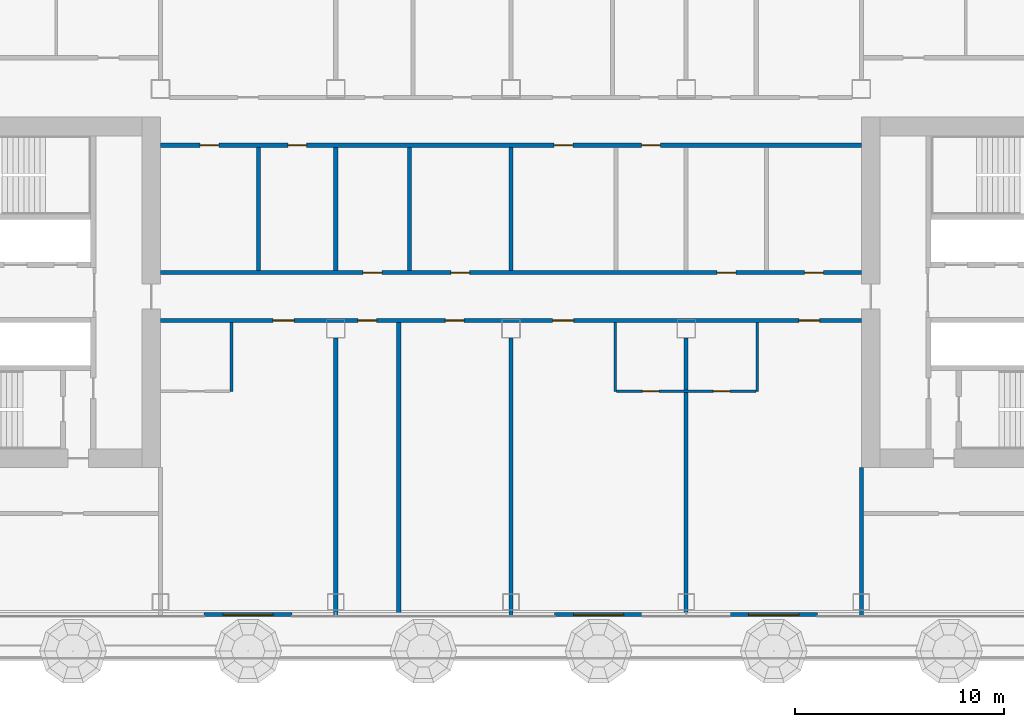
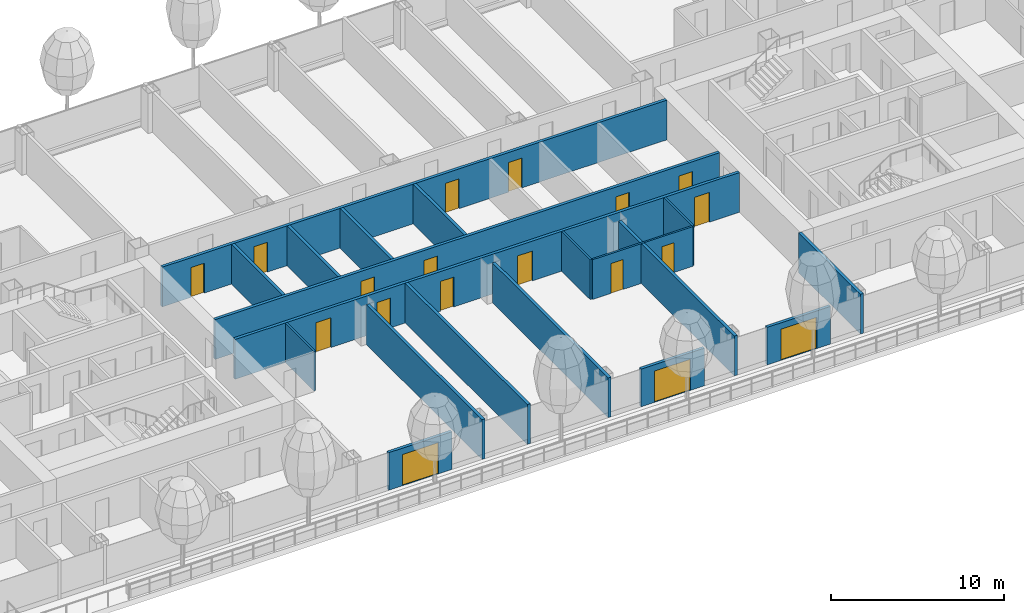
# One storey, part 15 of 34: 19 walls, 18 doors, 18 openings, 1 element without a shape of its own.
"""IFC4 building model written with IfcOpenShell, lengths in metres."""

from ifc_helpers import new_model, si_unit, direction, frame, frame_2d, origin, place, context, subcontext, project, spatial, rectangle, extrude, material, layer, layer_set, type_object, element, fill, aggregate, save


model = new_model("IFC4")

# Units and contexts
model_context = context("Model", 3, precision=1e-05, world=origin(), true_north=direction((0.0, 1.0)))
body_context = subcontext(model_context, "Body", "Model", "MODEL_VIEW")
ifc_project = project(units=[si_unit("LENGTHUNIT", "METRE"), si_unit("AREAUNIT", "SQUARE_METRE"), si_unit("VOLUMEUNIT", "CUBIC_METRE"), si_unit("PLANEANGLEUNIT", "RADIAN"), si_unit("MASSUNIT", "GRAM", prefix="KILO")], contexts=[model_context])

# Site, building, storey
site_placement = place(None, origin())
site = spatial("IfcSite", under=ifc_project, at=site_placement, CompositionType="ELEMENT")
building_placement = place(site_placement, origin())
building = spatial("IfcBuilding", under=site, at=building_placement, Name="Hakoniwa Tower and Hamabe Station Hall", CompositionType="ELEMENT")
storey_placement = place(building_placement, frame((0.0, 0.0, 107.39990234375)))
storey = spatial("IfcBuildingStorey", under=building, at=storey_placement, Name="L30", CompositionType="ELEMENT", Elevation=107.39990234375)

# Wall, openings, doors
ifc_material_1 = material(Name="Gypsum board partition", Category="gypsum")
ifc_layer_1 = layer(ifc_material_1, 0.125)
ifc_layer_set_1 = layer_set([ifc_layer_1], Name="Bathroom Partition 125")
wall_type_1 = type_object("IfcWallType", Name="Bathroom Partition 125", PredefinedType="PARTITIONING", material=ifc_layer_set_1)
wall_1_placement = place(storey_placement, frame((5.0625, -4.75, 0.0), z_axis=(0.0, 0.0, 1.0), x_axis=(1.0, 0.0, 0.0)))
wall_1 = element("IfcWall", 1, at=wall_1_placement, inside=storey, type_object=wall_type_1, Name="GW-L30-008", PredefinedType="PARTITIONING", context=body_context, shape_type="SweptSolid", body=[
    extrude(rectangle(XDim=6.675048828125, YDim=0.125, at=frame_2d((3.33740234375, 0.0))), origin(), (0.0, 0.0, 1.0), 2.800048828125),
])
opening_1_placement = place(wall_1_placement, frame((1.237548828125, 0.0, 0.0)))
opening_1 = element("IfcOpeningElement", 2, at=opening_1_placement, cuts=wall_1, Name="Opening GD-G2A2-18", PredefinedType="OPENING", context=body_context, shape_type="SweptSolid", body=[
    extrude(rectangle(XDim=0.800048828125, YDim=2.10009765625, at=frame_2d((0.39990234375, 1.050048828125))), frame((0.0, 0.072509765625, 0.0), z_axis=(0.0, -1.0, 0.0), x_axis=(1.0, 0.0, 0.0)), (0.0, 0.0, 1.0), 0.14501953125),
])
opening_2_placement = place(wall_1_placement, frame((4.637451171875, 0.0, 0.0)))
opening_2 = element("IfcOpeningElement", 3, at=opening_2_placement, cuts=wall_1, Name="Opening GD-G2A2-19", PredefinedType="OPENING", context=body_context, shape_type="SweptSolid", body=[
    extrude(rectangle(XDim=0.800048828125, YDim=2.10009765625, at=frame_2d((0.39990234375, 1.050048828125))), frame((0.0, 0.072509765625, 0.0), z_axis=(0.0, -1.0, 0.0), x_axis=(1.0, 0.0, 0.0)), (0.0, 0.0, 1.0), 0.14501953125),
])
ifc_material_2 = material(Name="Timber door leaf", Category="wood")
door_type_1 = type_object("IfcDoorType", Name="Bathroom Door 800", OperationType="SINGLE_SWING_LEFT", PredefinedType="DOOR", material=ifc_material_2)
door_1_placement = place(opening_1_placement, origin())
door_1 = element("IfcDoor", 4, at=door_1_placement, inside=storey, type_object=door_type_1, Name="Door GD-G2A2-18", OperationType="SINGLE_SWING_RIGHT", OverallHeight=2.10009765625, OverallWidth=0.800048828125, PredefinedType="DOOR", context=body_context, shape_type="SweptSolid", body=[
    extrude(rectangle(XDim=0.800048828125, YDim=2.10009765625, at=frame_2d((0.39990234375, 1.050048828125))), frame((0.0, 0.02490234375, 0.0), z_axis=(0.0, -1.0, 0.0), x_axis=(1.0, 0.0, 0.0)), (0.0, 0.0, 1.0), 0.050048828125),
])
fill(opening_1, door_1)
door_2_placement = place(opening_2_placement, origin())
door_2 = element("IfcDoor", 5, at=door_2_placement, inside=storey, type_object=door_type_1, Name="Door GD-G2A2-19", OperationType="SINGLE_SWING_LEFT", OverallHeight=2.10009765625, OverallWidth=0.800048828125, PredefinedType="DOOR", context=body_context, shape_type="SweptSolid", body=[
    extrude(rectangle(XDim=0.800048828125, YDim=2.10009765625, at=frame_2d((0.39990234375, 1.050048828125))), frame((0.0, 0.02490234375, 0.0), z_axis=(0.0, -1.0, 0.0), x_axis=(1.0, 0.0, 0.0)), (0.0, 0.0, 1.0), 0.050048828125),
])
fill(opening_2, door_2)

# Walls
for number, where, z_axis, x_axis, name in (
    (6, (-13.39990234375, -4.75, 0.0), (0.0, 0.0, 1.0), (0.0, 1.0, 0.0), "GW-L30-042"),
    (7, (5.0, -4.75, 0.0), (0.0, 0.0, 1.0), (0.0, 1.0, 0.0), "GW-L30-054"),
    (8, (11.800048828125, -4.75, 0.0), (0.0, 0.0, 1.0), (0.0, 1.0, 0.0), "GW-L30-060"),
):
    element("IfcWall", number, at=place(storey_placement, frame(where, z_axis=z_axis, x_axis=x_axis)), inside=storey, type_object=wall_type_1, Name=name, PredefinedType="PARTITIONING", context=body_context, shape_type="SweptSolid", body=[
        extrude(rectangle(XDim=3.300048828125, YDim=0.125, at=frame_2d((1.64990234375, 0.0))), origin(), (0.0, 0.0, 1.0), 2.800048828125),
    ])

# Wall, openings, doors
ifc_material_3 = material(Name="Fire-rated gypsum board partition", Category="gypsum")
ifc_layer_2 = layer(ifc_material_3, 0.199951171875)
ifc_layer_set_2 = layer_set([ifc_layer_2], Name="Corridor Wall 200")
wall_type_2 = type_object("IfcWallType", Name="Corridor Wall 200", PredefinedType="PARTITIONING", material=ifc_layer_set_2)
wall_2_placement = place(storey_placement, frame((-16.800048828125, -1.35009765625, 0.0), z_axis=(0.0, 0.0, 1.0), x_axis=(1.0, 0.0, 0.0)))
wall_2 = element("IfcWall", 9, at=wall_2_placement, inside=storey, type_object=wall_type_2, Name="GW-L30-009", PredefinedType="PARTITIONING", context=body_context, shape_type="SweptSolid", body=[
    extrude(rectangle(XDim=33.60009765625, YDim=0.199951171875, at=frame_2d((16.800048828125, 0.0))), origin(), (0.0, 0.0, 1.0), 2.800048828125),
])
opening_3_placement = place(wall_2_placement, frame((5.39990234375, 0.0, 0.0)))
opening_3 = element("IfcOpeningElement", 10, at=opening_3_placement, cuts=wall_2, Name="Opening GD-G2A2-20", PredefinedType="OPENING", context=body_context, shape_type="SweptSolid", body=[
    extrude(rectangle(XDim=1.0, YDim=2.10009765625, at=frame_2d((0.5, 1.050048828125))), frame((0.0, 0.10986328125, 0.0), z_axis=(0.0, -1.0, 0.0), x_axis=(1.0, 0.0, 0.0)), (0.0, 0.0, 1.0), 0.219970703125),
])
opening_4_placement = place(wall_2_placement, frame((9.4599609375, 0.0, 0.0)))
opening_4 = element("IfcOpeningElement", 11, at=opening_4_placement, cuts=wall_2, Name="Opening GD-G2A2-21", PredefinedType="OPENING", context=body_context, shape_type="SweptSolid", body=[
    extrude(rectangle(XDim=0.89990234375, YDim=2.10009765625, at=frame_2d((0.449951171875, 1.050048828125))), frame((0.0, 0.10986328125, 0.0), z_axis=(0.0, -1.0, 0.0), x_axis=(1.0, 0.0, 0.0)), (0.0, 0.0, 1.0), 0.219970703125),
])
opening_5_placement = place(wall_2_placement, frame((13.659912109375, 0.0, 0.0)))
opening_5 = element("IfcOpeningElement", 12, at=opening_5_placement, cuts=wall_2, Name="Opening GD-G2A2-22", PredefinedType="OPENING", context=body_context, shape_type="SweptSolid", body=[
    extrude(rectangle(XDim=0.89990234375, YDim=2.10009765625, at=frame_2d((0.449951171875, 1.050048828125))), frame((0.0, 0.10986328125, 0.0), z_axis=(0.0, -1.0, 0.0), x_axis=(1.0, 0.0, 0.0)), (0.0, 0.0, 1.0), 0.219970703125),
])
opening_6_placement = place(wall_2_placement, frame((18.800048828125, 0.0, 0.0)))
opening_6 = element("IfcOpeningElement", 13, at=opening_6_placement, cuts=wall_2, Name="Opening GD-G2A2-23", PredefinedType="OPENING", context=body_context, shape_type="SweptSolid", body=[
    extrude(rectangle(XDim=1.0, YDim=2.10009765625, at=frame_2d((0.5, 1.050048828125))), frame((0.0, 0.10986328125, 0.0), z_axis=(0.0, -1.0, 0.0), x_axis=(1.0, 0.0, 0.0)), (0.0, 0.0, 1.0), 0.219970703125),
])
opening_7_placement = place(wall_2_placement, frame((30.60009765625, 0.0, 0.0)))
opening_7 = element("IfcOpeningElement", 14, at=opening_7_placement, cuts=wall_2, Name="Opening GD-G2A2-24", PredefinedType="OPENING", context=body_context, shape_type="SweptSolid", body=[
    extrude(rectangle(XDim=1.0, YDim=2.10009765625, at=frame_2d((0.5, 1.050048828125))), frame((0.0, 0.10986328125, 0.0), z_axis=(0.0, -1.0, 0.0), x_axis=(1.0, 0.0, 0.0)), (0.0, 0.0, 1.0), 0.219970703125),
])
ifc_material_4 = material(Name="Timber door leaf", Category="wood")
door_type_2 = type_object("IfcDoorType", Name="Guest Entrance Door 1000", OperationType="SINGLE_SWING_LEFT", PredefinedType="DOOR", material=ifc_material_4)
door_3_placement = place(opening_3_placement, origin())
door_3 = element("IfcDoor", 15, at=door_3_placement, inside=storey, type_object=door_type_2, Name="Door GD-G2A2-20", OperationType="SINGLE_SWING_RIGHT", OverallHeight=2.10009765625, OverallWidth=1.0, PredefinedType="DOOR", context=body_context, shape_type="SweptSolid", body=[
    extrude(rectangle(XDim=1.0, YDim=2.10009765625, at=frame_2d((0.5, 1.050048828125))), frame((0.0, 0.02490234375, 0.0), z_axis=(0.0, -1.0, 0.0), x_axis=(1.0, 0.0, 0.0)), (0.0, 0.0, 1.0), 0.050048828125),
])
fill(opening_3, door_3)
door_4_placement = place(opening_6_placement, origin())
door_4 = element("IfcDoor", 16, at=door_4_placement, inside=storey, type_object=door_type_2, Name="Door GD-G2A2-23", OperationType="SINGLE_SWING_LEFT", OverallHeight=2.10009765625, OverallWidth=1.0, PredefinedType="DOOR", context=body_context, shape_type="SweptSolid", body=[
    extrude(rectangle(XDim=1.0, YDim=2.10009765625, at=frame_2d((0.5, 1.050048828125))), frame((0.0, 0.02490234375, 0.0), z_axis=(0.0, -1.0, 0.0), x_axis=(1.0, 0.0, 0.0)), (0.0, 0.0, 1.0), 0.050048828125),
])
fill(opening_6, door_4)
door_5_placement = place(opening_7_placement, origin())
door_5 = element("IfcDoor", 17, at=door_5_placement, inside=storey, type_object=door_type_2, Name="Door GD-G2A2-24", OperationType="SINGLE_SWING_RIGHT", OverallHeight=2.10009765625, OverallWidth=1.0, PredefinedType="DOOR", context=body_context, shape_type="SweptSolid", body=[
    extrude(rectangle(XDim=1.0, YDim=2.10009765625, at=frame_2d((0.5, 1.050048828125))), frame((0.0, 0.02490234375, 0.0), z_axis=(0.0, -1.0, 0.0), x_axis=(1.0, 0.0, 0.0)), (0.0, 0.0, 1.0), 0.050048828125),
])
fill(opening_7, door_5)
ifc_material_5 = material(Name="Timber door leaf", Category="wood")
door_type_3 = type_object("IfcDoorType", Name="Service Door 900", OperationType="SINGLE_SWING_LEFT", PredefinedType="DOOR", material=ifc_material_5)
door_6_placement = place(opening_4_placement, origin())
door_6 = element("IfcDoor", 18, at=door_6_placement, inside=storey, type_object=door_type_3, Name="Door GD-G2A2-21", OperationType="SINGLE_SWING_RIGHT", OverallHeight=2.10009765625, OverallWidth=0.89990234375, PredefinedType="DOOR", context=body_context, shape_type="SweptSolid", body=[
    extrude(rectangle(XDim=0.89990234375, YDim=2.10009765625, at=frame_2d((0.449951171875, 1.050048828125))), frame((0.0, 0.02490234375, 0.0), z_axis=(0.0, -1.0, 0.0), x_axis=(1.0, 0.0, 0.0)), (0.0, 0.0, 1.0), 0.050048828125),
])
fill(opening_4, door_6)
door_7_placement = place(opening_5_placement, origin())
door_7 = element("IfcDoor", 19, at=door_7_placement, inside=storey, type_object=door_type_3, Name="Door GD-G2A2-22", OperationType="SINGLE_SWING_RIGHT", OverallHeight=2.10009765625, OverallWidth=0.89990234375, PredefinedType="DOOR", context=body_context, shape_type="SweptSolid", body=[
    extrude(rectangle(XDim=0.89990234375, YDim=2.10009765625, at=frame_2d((0.449951171875, 1.050048828125))), frame((0.0, 0.02490234375, 0.0), z_axis=(0.0, -1.0, 0.0), x_axis=(1.0, 0.0, 0.0)), (0.0, 0.0, 1.0), 0.050048828125),
])
fill(opening_5, door_7)

wall_3_placement = place(storey_placement, frame((-16.800048828125, 0.949951171875, 0.0), z_axis=(0.0, 0.0, 1.0), x_axis=(1.0, 0.0, 0.0)))
wall_3 = element("IfcWall", 20, at=wall_3_placement, inside=storey, type_object=wall_type_2, Name="GW-L30-012", PredefinedType="PARTITIONING", context=body_context, shape_type="SweptSolid", body=[
    extrude(rectangle(XDim=33.60009765625, YDim=0.199951171875, at=frame_2d((16.800048828125, 0.0))), origin(), (0.0, 0.0, 1.0), 2.800048828125),
])
opening_8_placement = place(wall_3_placement, frame((9.715087890625, 0.0, 0.0)))
opening_8 = element("IfcOpeningElement", 21, at=opening_8_placement, cuts=wall_3, Name="Opening GD-G2A2-25", PredefinedType="OPENING", context=body_context, shape_type="SweptSolid", body=[
    extrude(rectangle(XDim=0.89990234375, YDim=2.10009765625, at=frame_2d((0.449951171875, 1.050048828125))), frame((0.0, 0.10986328125, 0.0), z_axis=(0.0, -1.0, 0.0), x_axis=(1.0, 0.0, 0.0)), (0.0, 0.0, 1.0), 0.219970703125),
])
opening_9_placement = place(wall_3_placement, frame((13.9150390625, 0.0, 0.0)))
opening_9 = element("IfcOpeningElement", 22, at=opening_9_placement, cuts=wall_3, Name="Opening GD-G2A2-26", PredefinedType="OPENING", context=body_context, shape_type="SweptSolid", body=[
    extrude(rectangle(XDim=0.89990234375, YDim=2.10009765625, at=frame_2d((0.449951171875, 1.050048828125))), frame((0.0, 0.10986328125, 0.0), z_axis=(0.0, -1.0, 0.0), x_axis=(1.0, 0.0, 0.0)), (0.0, 0.0, 1.0), 0.219970703125),
])
opening_10_placement = place(wall_3_placement, frame((26.679931640625, 0.0, 0.0)))
opening_10 = element("IfcOpeningElement", 23, at=opening_10_placement, cuts=wall_3, Name="Opening GD-G2A2-27", PredefinedType="OPENING", context=body_context, shape_type="SweptSolid", body=[
    extrude(rectangle(XDim=0.89990234375, YDim=2.10009765625, at=frame_2d((0.449951171875, 1.050048828125))), frame((0.0, 0.10986328125, 0.0), z_axis=(0.0, -1.0, 0.0), x_axis=(1.0, 0.0, 0.0)), (0.0, 0.0, 1.0), 0.219970703125),
])
opening_11_placement = place(wall_3_placement, frame((30.8798828125, 0.0, 0.0)))
opening_11 = element("IfcOpeningElement", 24, at=opening_11_placement, cuts=wall_3, Name="Opening GD-G2A2-28", PredefinedType="OPENING", context=body_context, shape_type="SweptSolid", body=[
    extrude(rectangle(XDim=0.89990234375, YDim=2.10009765625, at=frame_2d((0.449951171875, 1.050048828125))), frame((0.0, 0.10986328125, 0.0), z_axis=(0.0, -1.0, 0.0), x_axis=(1.0, 0.0, 0.0)), (0.0, 0.0, 1.0), 0.219970703125),
])
door_8_placement = place(opening_8_placement, origin())
door_8 = element("IfcDoor", 25, at=door_8_placement, inside=storey, type_object=door_type_3, Name="Door GD-G2A2-25", OperationType="SINGLE_SWING_RIGHT", OverallHeight=2.10009765625, OverallWidth=0.89990234375, PredefinedType="DOOR", context=body_context, shape_type="SweptSolid", body=[
    extrude(rectangle(XDim=0.89990234375, YDim=2.10009765625, at=frame_2d((0.449951171875, 1.050048828125))), frame((0.0, 0.02490234375, 0.0), z_axis=(0.0, -1.0, 0.0), x_axis=(1.0, 0.0, 0.0)), (0.0, 0.0, 1.0), 0.050048828125),
])
fill(opening_8, door_8)
door_9_placement = place(opening_9_placement, origin())
door_9 = element("IfcDoor", 26, at=door_9_placement, inside=storey, type_object=door_type_3, Name="Door GD-G2A2-26", OperationType="SINGLE_SWING_LEFT", OverallHeight=2.10009765625, OverallWidth=0.89990234375, PredefinedType="DOOR", context=body_context, shape_type="SweptSolid", body=[
    extrude(rectangle(XDim=0.89990234375, YDim=2.10009765625, at=frame_2d((0.449951171875, 1.050048828125))), frame((0.0, 0.02490234375, 0.0), z_axis=(0.0, -1.0, 0.0), x_axis=(1.0, 0.0, 0.0)), (0.0, 0.0, 1.0), 0.050048828125),
])
fill(opening_9, door_9)
door_10_placement = place(opening_10_placement, origin())
door_10 = element("IfcDoor", 27, at=door_10_placement, inside=storey, type_object=door_type_3, Name="Door GD-G2A2-27", OperationType="SINGLE_SWING_RIGHT", OverallHeight=2.10009765625, OverallWidth=0.89990234375, PredefinedType="DOOR", context=body_context, shape_type="SweptSolid", body=[
    extrude(rectangle(XDim=0.89990234375, YDim=2.10009765625, at=frame_2d((0.449951171875, 1.050048828125))), frame((0.0, 0.02490234375, 0.0), z_axis=(0.0, -1.0, 0.0), x_axis=(1.0, 0.0, 0.0)), (0.0, 0.0, 1.0), 0.050048828125),
])
fill(opening_10, door_10)
door_11_placement = place(opening_11_placement, origin())
door_11 = element("IfcDoor", 28, at=door_11_placement, inside=storey, type_object=door_type_3, Name="Door GD-G2A2-28", OperationType="SINGLE_SWING_LEFT", OverallHeight=2.10009765625, OverallWidth=0.89990234375, PredefinedType="DOOR", context=body_context, shape_type="SweptSolid", body=[
    extrude(rectangle(XDim=0.89990234375, YDim=2.10009765625, at=frame_2d((0.449951171875, 1.050048828125))), frame((0.0, 0.02490234375, 0.0), z_axis=(0.0, -1.0, 0.0), x_axis=(1.0, 0.0, 0.0)), (0.0, 0.0, 1.0), 0.050048828125),
])
fill(opening_11, door_11)

wall_4_placement = place(storey_placement, frame((-16.800048828125, 7.050048828125, 0.0), z_axis=(0.0, 0.0, 1.0), x_axis=(1.0, 0.0, 0.0)))
wall_4 = element("IfcWall", 29, at=wall_4_placement, inside=storey, type_object=wall_type_2, Name="GW-L30-015", PredefinedType="PARTITIONING", context=body_context, shape_type="SweptSolid", body=[
    extrude(rectangle(XDim=33.60009765625, YDim=0.199951171875, at=frame_2d((16.800048828125, 0.0))), origin(), (0.0, 0.0, 1.0), 2.800048828125),
])
opening_12_placement = place(wall_4_placement, frame((1.89990234375, 0.0, 0.0)))
opening_12 = element("IfcOpeningElement", 30, at=opening_12_placement, cuts=wall_4, Name="Opening GD-G2A2-31", PredefinedType="OPENING", context=body_context, shape_type="SweptSolid", body=[
    extrude(rectangle(XDim=0.89990234375, YDim=2.10009765625, at=frame_2d((0.449951171875, 1.050048828125))), frame((0.0, 0.10986328125, 0.0), z_axis=(0.0, -1.0, 0.0), x_axis=(1.0, 0.0, 0.0)), (0.0, 0.0, 1.0), 0.219970703125),
])
opening_13_placement = place(wall_4_placement, frame((6.10009765625, 0.0, 0.0)))
opening_13 = element("IfcOpeningElement", 31, at=opening_13_placement, cuts=wall_4, Name="Opening GD-G2A2-32", PredefinedType="OPENING", context=body_context, shape_type="SweptSolid", body=[
    extrude(rectangle(XDim=0.89990234375, YDim=2.10009765625, at=frame_2d((0.449951171875, 1.050048828125))), frame((0.0, 0.10986328125, 0.0), z_axis=(0.0, -1.0, 0.0), x_axis=(1.0, 0.0, 0.0)), (0.0, 0.0, 1.0), 0.219970703125),
])
opening_14_placement = place(wall_4_placement, frame((18.8701171875, 0.0, 0.0)))
opening_14 = element("IfcOpeningElement", 32, at=opening_14_placement, cuts=wall_4, Name="Opening GD-G2A2-33", PredefinedType="OPENING", context=body_context, shape_type="SweptSolid", body=[
    extrude(rectangle(XDim=0.89990234375, YDim=2.10009765625, at=frame_2d((0.449951171875, 1.050048828125))), frame((0.0, 0.10986328125, 0.0), z_axis=(0.0, -1.0, 0.0), x_axis=(1.0, 0.0, 0.0)), (0.0, 0.0, 1.0), 0.219970703125),
])
opening_15_placement = place(wall_4_placement, frame((23.070068359375, 0.0, 0.0)))
opening_15 = element("IfcOpeningElement", 33, at=opening_15_placement, cuts=wall_4, Name="Opening GD-G2A2-34", PredefinedType="OPENING", context=body_context, shape_type="SweptSolid", body=[
    extrude(rectangle(XDim=0.89990234375, YDim=2.10009765625, at=frame_2d((0.449951171875, 1.050048828125))), frame((0.0, 0.10986328125, 0.0), z_axis=(0.0, -1.0, 0.0), x_axis=(1.0, 0.0, 0.0)), (0.0, 0.0, 1.0), 0.219970703125),
])
door_12_placement = place(opening_12_placement, origin())
door_12 = element("IfcDoor", 34, at=door_12_placement, inside=storey, type_object=door_type_3, Name="Door GD-G2A2-31", OperationType="SINGLE_SWING_RIGHT", OverallHeight=2.10009765625, OverallWidth=0.89990234375, PredefinedType="DOOR", context=body_context, shape_type="SweptSolid", body=[
    extrude(rectangle(XDim=0.89990234375, YDim=2.10009765625, at=frame_2d((0.449951171875, 1.050048828125))), frame((0.0, 0.02490234375, 0.0), z_axis=(0.0, -1.0, 0.0), x_axis=(1.0, 0.0, 0.0)), (0.0, 0.0, 1.0), 0.050048828125),
])
fill(opening_12, door_12)
door_13_placement = place(opening_13_placement, origin())
door_13 = element("IfcDoor", 35, at=door_13_placement, inside=storey, type_object=door_type_3, Name="Door GD-G2A2-32", OperationType="SINGLE_SWING_LEFT", OverallHeight=2.10009765625, OverallWidth=0.89990234375, PredefinedType="DOOR", context=body_context, shape_type="SweptSolid", body=[
    extrude(rectangle(XDim=0.89990234375, YDim=2.10009765625, at=frame_2d((0.449951171875, 1.050048828125))), frame((0.0, 0.02490234375, 0.0), z_axis=(0.0, -1.0, 0.0), x_axis=(1.0, 0.0, 0.0)), (0.0, 0.0, 1.0), 0.050048828125),
])
fill(opening_13, door_13)
door_14_placement = place(opening_14_placement, origin())
door_14 = element("IfcDoor", 36, at=door_14_placement, inside=storey, type_object=door_type_3, Name="Door GD-G2A2-33", OperationType="SINGLE_SWING_RIGHT", OverallHeight=2.10009765625, OverallWidth=0.89990234375, PredefinedType="DOOR", context=body_context, shape_type="SweptSolid", body=[
    extrude(rectangle(XDim=0.89990234375, YDim=2.10009765625, at=frame_2d((0.449951171875, 1.050048828125))), frame((0.0, 0.02490234375, 0.0), z_axis=(0.0, -1.0, 0.0), x_axis=(1.0, 0.0, 0.0)), (0.0, 0.0, 1.0), 0.050048828125),
])
fill(opening_14, door_14)
door_15_placement = place(opening_15_placement, origin())
door_15 = element("IfcDoor", 37, at=door_15_placement, inside=storey, type_object=door_type_3, Name="Door GD-G2A2-34", OperationType="SINGLE_SWING_LEFT", OverallHeight=2.10009765625, OverallWidth=0.89990234375, PredefinedType="DOOR", context=body_context, shape_type="SweptSolid", body=[
    extrude(rectangle(XDim=0.89990234375, YDim=2.10009765625, at=frame_2d((0.449951171875, 1.050048828125))), frame((0.0, 0.02490234375, 0.0), z_axis=(0.0, -1.0, 0.0), x_axis=(1.0, 0.0, 0.0)), (0.0, 0.0, 1.0), 0.050048828125),
])
fill(opening_15, door_15)

# Curtain wall, walls, openings, doors
ifc_material_6 = material(Name="Dark low-e laminated glass", Category="glass")
ifc_layer_3 = layer(ifc_material_6, 0.199951171875)
ifc_layer_set_3 = layer_set([ifc_layer_3], Name="CW-1 UNITISED GUEST")
curtain_wall_type = type_object("IfcCurtainWallType", Name="CW-1 UNITISED GUEST", PredefinedType="NOTDEFINED", material=ifc_layer_set_3)
curtain_wall_placement = place(storey_placement, origin())
curtain_wall = element("IfcCurtainWall", 38, at=curtain_wall_placement, inside=storey, type_object=curtain_wall_type, Name="CW-1 curtain wall", PredefinedType="NOTDEFINED")
ifc_material_7 = material(Name="Dark glass-faced aluminium panel", Category="aluminium")
ifc_layer_4 = layer(ifc_material_7, 0.199951171875)
ifc_layer_set_4 = layer_set([ifc_layer_4], Name="DOOR BAY WALL")
wall_type_3 = type_object("IfcWallType", Name="DOOR BAY WALL", PredefinedType="NOTDEFINED", material=ifc_layer_set_4)
wall_5_placement = place(storey_placement, frame((-14.7099609375, -15.449951171875, 0.0), z_axis=(0.0, 0.0, 1.0), x_axis=(1.0, 0.0, 0.0)))
wall_5 = element("IfcWall", 39, at=wall_5_placement, type_object=wall_type_3, Name="Door bay wall", PredefinedType="NOTDEFINED", context=body_context, shape_type="SweptSolid", body=[
    extrude(rectangle(XDim=4.219970703125, YDim=0.199951171875, at=frame_2d((2.10986328125, 0.0))), origin(), (0.0, 0.0, 1.0), 2.650146484375),
])
opening_16_placement = place(wall_5_placement, frame((0.909912109375, 0.0, 0.0)))
opening_16 = element("IfcOpeningElement", 40, at=opening_16_placement, cuts=wall_5, Name="Opening BD-S07-1", PredefinedType="OPENING", context=body_context, shape_type="SweptSolid", body=[
    extrude(rectangle(XDim=2.39990234375, YDim=2.199951171875, at=frame_2d((1.199951171875, 1.10009765625))), frame((0.0, 0.10986328125, 0.0), z_axis=(0.0, -1.0, 0.0), x_axis=(1.0, 0.0, 0.0)), (0.0, 0.0, 1.0), 0.219970703125),
])
ifc_material_8 = material(Name="Dark low-e laminated glass", Category="glass")
door_type_4 = type_object("IfcDoorType", Name="BALCONY SLIDING DOOR 2400X2200", OperationType="SLIDING_TO_LEFT", PredefinedType="DOOR", material=ifc_material_8)
door_16_placement = place(opening_16_placement, frame((2.39990234375, 0.0, 0.0), z_axis=(0.0, 0.0, 1.0), x_axis=(-1.0, 0.0, 0.0)))
door_16 = element("IfcDoor", 41, at=door_16_placement, inside=storey, type_object=door_type_4, Name="Balcony sliding door", OperationType="SLIDING_TO_LEFT", OverallHeight=2.199951171875, OverallWidth=2.39990234375, PredefinedType="DOOR", context=body_context, shape_type="SweptSolid", body=[
    extrude(rectangle(XDim=2.39990234375, YDim=2.199951171875, at=frame_2d((1.199951171875, 1.10009765625))), frame((0.0, 0.02490234375, 0.0), z_axis=(0.0, -1.0, 0.0), x_axis=(1.0, 0.0, 0.0)), (0.0, 0.0, 1.0), 0.050048828125),
])
fill(opening_16, door_16)
wall_6_placement = place(storey_placement, frame((2.090087890625, -15.449951171875, 0.0), z_axis=(0.0, 0.0, 1.0), x_axis=(1.0, 0.0, 0.0)))
wall_6 = element("IfcWall", 42, at=wall_6_placement, type_object=wall_type_3, Name="Door bay wall", PredefinedType="NOTDEFINED", context=body_context, shape_type="SweptSolid", body=[
    extrude(rectangle(XDim=4.219970703125, YDim=0.199951171875, at=frame_2d((2.10986328125, 0.0))), origin(), (0.0, 0.0, 1.0), 2.650146484375),
])
opening_17_placement = place(wall_6_placement, frame((0.909912109375, 0.0, 0.0)))
opening_17 = element("IfcOpeningElement", 43, at=opening_17_placement, cuts=wall_6, Name="Opening BD-S07-2", PredefinedType="OPENING", context=body_context, shape_type="SweptSolid", body=[
    extrude(rectangle(XDim=2.39990234375, YDim=2.199951171875, at=frame_2d((1.199951171875, 1.10009765625))), frame((0.0, 0.10986328125, 0.0), z_axis=(0.0, -1.0, 0.0), x_axis=(1.0, 0.0, 0.0)), (0.0, 0.0, 1.0), 0.219970703125),
])
door_17_placement = place(opening_17_placement, frame((2.39990234375, 0.0, 0.0), z_axis=(0.0, 0.0, 1.0), x_axis=(-1.0, 0.0, 0.0)))
door_17 = element("IfcDoor", 44, at=door_17_placement, inside=storey, type_object=door_type_4, Name="Balcony sliding door", OperationType="SLIDING_TO_LEFT", OverallHeight=2.199951171875, OverallWidth=2.39990234375, PredefinedType="DOOR", context=body_context, shape_type="SweptSolid", body=[
    extrude(rectangle(XDim=2.39990234375, YDim=2.199951171875, at=frame_2d((1.199951171875, 1.10009765625))), frame((0.0, 0.02490234375, 0.0), z_axis=(0.0, -1.0, 0.0), x_axis=(1.0, 0.0, 0.0)), (0.0, 0.0, 1.0), 0.050048828125),
])
fill(opening_17, door_17)
wall_7_placement = place(storey_placement, frame((10.489990234375, -15.449951171875, 0.0), z_axis=(0.0, 0.0, 1.0), x_axis=(1.0, 0.0, 0.0)))
wall_7 = element("IfcWall", 45, at=wall_7_placement, type_object=wall_type_3, Name="Door bay wall", PredefinedType="NOTDEFINED", context=body_context, shape_type="SweptSolid", body=[
    extrude(rectangle(XDim=4.219970703125, YDim=0.199951171875, at=frame_2d((2.10986328125, 0.0))), origin(), (0.0, 0.0, 1.0), 2.650146484375),
])
opening_18_placement = place(wall_7_placement, frame((0.909912109375, 0.0, 0.0)))
opening_18 = element("IfcOpeningElement", 46, at=opening_18_placement, cuts=wall_7, Name="Opening BD-S07-3", PredefinedType="OPENING", context=body_context, shape_type="SweptSolid", body=[
    extrude(rectangle(XDim=2.39990234375, YDim=2.199951171875, at=frame_2d((1.199951171875, 1.10009765625))), frame((0.0, 0.10986328125, 0.0), z_axis=(0.0, -1.0, 0.0), x_axis=(1.0, 0.0, 0.0)), (0.0, 0.0, 1.0), 0.219970703125),
])
door_18_placement = place(opening_18_placement, frame((2.39990234375, 0.0, 0.0), z_axis=(0.0, 0.0, 1.0), x_axis=(-1.0, 0.0, 0.0)))
door_18 = element("IfcDoor", 47, at=door_18_placement, inside=storey, type_object=door_type_4, Name="Balcony sliding door", OperationType="SLIDING_TO_LEFT", OverallHeight=2.199951171875, OverallWidth=2.39990234375, PredefinedType="DOOR", context=body_context, shape_type="SweptSolid", body=[
    extrude(rectangle(XDim=2.39990234375, YDim=2.199951171875, at=frame_2d((1.199951171875, 1.10009765625))), frame((0.0, 0.02490234375, 0.0), z_axis=(0.0, -1.0, 0.0), x_axis=(1.0, 0.0, 0.0)), (0.0, 0.0, 1.0), 0.050048828125),
])
fill(opening_18, door_18)
aggregate(curtain_wall, [wall_5, wall_6, wall_7])

# Walls
ifc_material_9 = material(Name="Fire-rated gypsum board partition", Category="gypsum")
ifc_layer_5 = layer(ifc_material_9, 0.199951171875)
ifc_layer_set_5 = layer_set([ifc_layer_5], Name="Party Wall 200")
wall_type_4 = type_object("IfcWallType", Name="Party Wall 200", PredefinedType="PARTITIONING", material=ifc_layer_set_5)
wall_8_placement = place(storey_placement, frame((-12.10009765625, 1.050048828125, 0.0), z_axis=(0.0, 0.0, 1.0), x_axis=(0.0, 1.0, 0.0)))
element("IfcWall", 48, at=wall_8_placement, inside=storey, type_object=wall_type_4, Name="GW-L30-043", PredefinedType="PARTITIONING", context=body_context, shape_type="SweptSolid", body=[
    extrude(rectangle(XDim=5.89990234375, YDim=0.199951171875, at=frame_2d((2.949951171875, 0.0))), origin(), (0.0, 0.0, 1.0), 2.800048828125),
])
wall_9_placement = place(storey_placement, frame((-8.39990234375, -15.550048828125, 0.0), z_axis=(0.0, 0.0, 1.0), x_axis=(0.0, 1.0, 0.0)))
element("IfcWall", 49, at=wall_9_placement, inside=storey, type_object=wall_type_4, Name="GW-L30-044", PredefinedType="PARTITIONING", context=body_context, shape_type="SweptSolid", body=[
    extrude(rectangle(XDim=13.360107421875, YDim=0.199951171875, at=frame_2d((6.68017578125, 0.0))), origin(), (0.0, 0.0, 1.0), 2.800048828125),
])
wall_10_placement = place(storey_placement, frame((-8.39990234375, 1.050048828125, 0.0), z_axis=(0.0, 0.0, 1.0), x_axis=(0.0, 1.0, 0.0)))
element("IfcWall", 50, at=wall_10_placement, inside=storey, type_object=wall_type_4, Name="GW-L30-045", PredefinedType="PARTITIONING", context=body_context, shape_type="SweptSolid", body=[
    extrude(rectangle(XDim=5.89990234375, YDim=0.199951171875, at=frame_2d((2.949951171875, 0.0))), origin(), (0.0, 0.0, 1.0), 2.800048828125),
])
wall_11_placement = place(storey_placement, frame((-5.3798828125, -15.550048828125, 0.0), z_axis=(0.0, 0.0, 1.0), x_axis=(0.0, 1.0, 0.0)))
element("IfcWall", 51, at=wall_11_placement, inside=storey, type_object=wall_type_4, Name="GW-L30-047", PredefinedType="PARTITIONING", context=body_context, shape_type="SweptSolid", body=[
    extrude(rectangle(XDim=14.10009765625, YDim=0.199951171875, at=frame_2d((7.050048828125, 0.0))), origin(), (0.0, 0.0, 1.0), 2.800048828125),
])
wall_12_placement = place(storey_placement, frame((-4.8701171875, 1.050048828125, 0.0), z_axis=(0.0, 0.0, 1.0), x_axis=(0.0, 1.0, 0.0)))
element("IfcWall", 52, at=wall_12_placement, inside=storey, type_object=wall_type_4, Name="GW-L30-048", PredefinedType="PARTITIONING", context=body_context, shape_type="SweptSolid", body=[
    extrude(rectangle(XDim=5.89990234375, YDim=0.199951171875, at=frame_2d((2.949951171875, 0.0))), origin(), (0.0, 0.0, 1.0), 2.800048828125),
])
wall_13_placement = place(storey_placement, frame((0.0, -15.550048828125, 0.0), z_axis=(0.0, 0.0, 1.0), x_axis=(0.0, 1.0, 0.0)))
element("IfcWall", 53, at=wall_13_placement, inside=storey, type_object=wall_type_4, Name="GW-L30-050", PredefinedType="PARTITIONING", context=body_context, shape_type="SweptSolid", body=[
    extrude(rectangle(XDim=13.360107421875, YDim=0.199951171875, at=frame_2d((6.68017578125, 0.0))), origin(), (0.0, 0.0, 1.0), 2.800048828125),
])
wall_14_placement = place(storey_placement, frame((0.0, 1.050048828125, 0.0), z_axis=(0.0, 0.0, 1.0), x_axis=(0.0, 1.0, 0.0)))
element("IfcWall", 54, at=wall_14_placement, inside=storey, type_object=wall_type_4, Name="GW-L30-051", PredefinedType="PARTITIONING", context=body_context, shape_type="SweptSolid", body=[
    extrude(rectangle(XDim=5.89990234375, YDim=0.199951171875, at=frame_2d((2.949951171875, 0.0))), origin(), (0.0, 0.0, 1.0), 2.800048828125),
])
wall_15_placement = place(storey_placement, frame((8.39990234375, -15.550048828125, 0.0), z_axis=(0.0, 0.0, 1.0), x_axis=(0.0, 1.0, 0.0)))
element("IfcWall", 55, at=wall_15_placement, inside=storey, type_object=wall_type_4, Name="GW-L30-056", PredefinedType="PARTITIONING", context=body_context, shape_type="SweptSolid", body=[
    extrude(rectangle(XDim=13.360107421875, YDim=0.199951171875, at=frame_2d((6.68017578125, 0.0))), origin(), (0.0, 0.0, 1.0), 2.800048828125),
])
wall_16_placement = place(storey_placement, frame((16.800048828125, -15.550048828125, 0.0), z_axis=(0.0, 0.0, 1.0), x_axis=(0.0, 1.0, 0.0)))
element("IfcWall", 56, at=wall_16_placement, inside=storey, type_object=wall_type_4, Name="GW-L30-062", PredefinedType="PARTITIONING", context=body_context, shape_type="SweptSolid", body=[
    extrude(rectangle(XDim=7.16015625, YDim=0.199951171875, at=frame_2d((3.580078125, 0.0))), origin(), (0.0, 0.0, 1.0), 2.800048828125),
])

save(model, "model.ifc")
